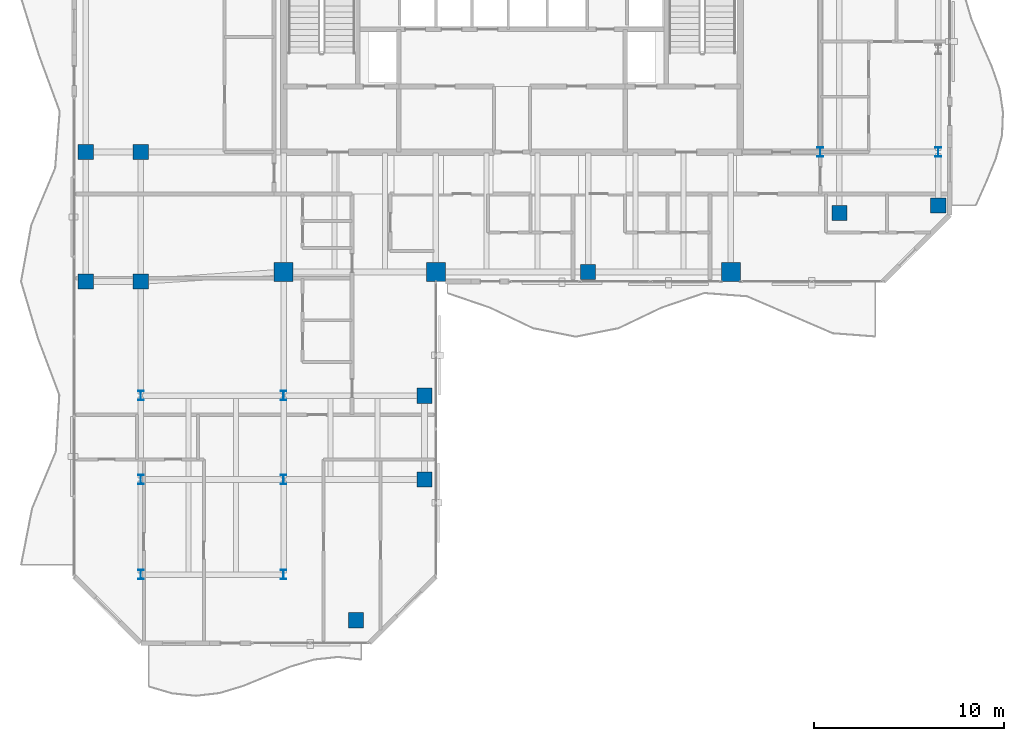
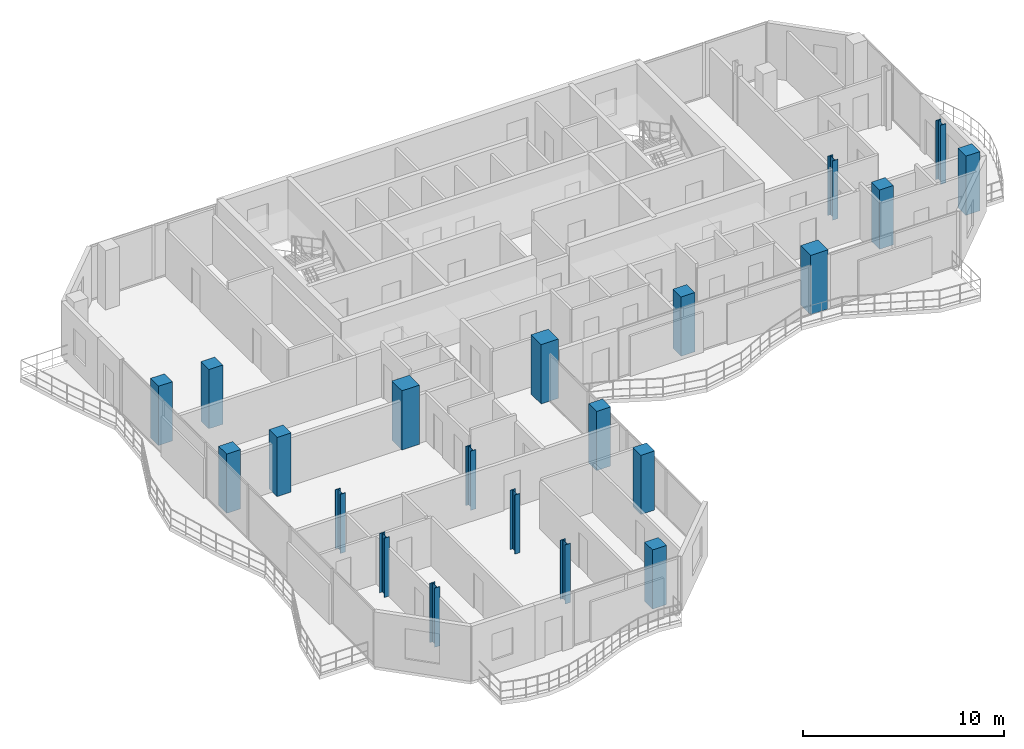
# One storey, part 1 of 23: 21 columns.
"""IFC4 building model written with IfcOpenShell, lengths in metres."""

from ifc_helpers import new_model, si_unit, direction, frame, origin, origin_2d, place, context, subcontext, project, spatial, rectangle, i_section, extrude, material, material_profile, profile_set, type_object, element, save


model = new_model("IFC4")

# Units and contexts
model_context = context("Model", 3, precision=1e-05, world=origin(), true_north=direction((0.0, 1.0)))
body_context = subcontext(model_context, "Body", "Model", "MODEL_VIEW")
ifc_project = project(units=[si_unit("LENGTHUNIT", "METRE"), si_unit("AREAUNIT", "SQUARE_METRE"), si_unit("VOLUMEUNIT", "CUBIC_METRE"), si_unit("PLANEANGLEUNIT", "RADIAN"), si_unit("MASSUNIT", "GRAM", prefix="KILO")], contexts=[model_context])

# Site, building, storey
site_placement = place(None, origin())
site = spatial("IfcSite", under=ifc_project, at=site_placement, CompositionType="ELEMENT")
building_placement = place(site_placement, origin())
building = spatial("IfcBuilding", under=site, at=building_placement, Name="Catumbela Crestline Tower", CompositionType="ELEMENT")
storey_placement = place(building_placement, frame((0.0, 0.0, 183.0)))
storey = spatial("IfcBuildingStorey", under=building, at=storey_placement, Name="L47", CompositionType="ELEMENT", Elevation=183.0)

# Columns
ifc_material_1 = material(Name="Concrete C50/60", Category="concrete")
ifc_material_profile_1 = material_profile(ifc_material_1, rectangle(XDim=1.0, YDim=1.0, at=origin_2d()), Name="RC 1000x1000")
ifc_profile_set_1 = profile_set([ifc_material_profile_1], Name="Concrete C50/60")
column_type_1 = type_object("IfcColumnType", Name="C-RC1000-C50", PredefinedType="COLUMN", material=ifc_profile_set_1)
for number, where, z_axis, x_axis, name in (
    (1, (16.0, 24.5, 0.0), (0.0, 0.0, 1.0), (1.0, 0.0, 0.0), "L47 Column C-16-24 (RC 1000x1000)"),
    (2, (24.0, 24.5, 0.0), (0.0, 0.0, 1.0), (1.0, 0.0, 0.0), "L47 Column C-24-24 (RC 1000x1000)"),
    (3, (39.5, 24.5, 0.0), (0.0, 0.0, 1.0), (1.0, 0.0, 0.0), "L47 Column C-40-24 (RC 1000x1000)"),
):
    element("IfcColumn", number, at=place(storey_placement, frame(where, z_axis=z_axis, x_axis=x_axis)), inside=storey, type_object=column_type_1, Name=name, PredefinedType="COLUMN", context=body_context, shape_type="SweptSolid", body=[
        extrude(rectangle(XDim=1.0, YDim=1.0, at=origin_2d()), origin(), (0.0, 0.0, 1.0), 3.6),
    ])
ifc_material_profile_2 = material_profile(ifc_material_1, rectangle(XDim=0.8, YDim=0.8, at=origin_2d()), Name="RC 800x800")
ifc_profile_set_2 = profile_set([ifc_material_profile_2], Name="Concrete C50/60")
column_type_2 = type_object("IfcColumnType", Name="C-RC800-C50", PredefinedType="COLUMN", material=ifc_profile_set_2)
for number, where, z_axis, x_axis, name in (
    (4, (8.5, 24.0, 0.0), (0.0, 0.0, 1.0), (1.0, 0.0, 0.0), "L47 Column C-08-24 (RC 800x800)"),
    (5, (32.0, 24.5, 0.0), (0.0, 0.0, 1.0), (1.0, 0.0, 0.0), "L47 Column C-32-24 (RC 800x800)"),
    (6, (5.6, 24.0, 0.0), (0.0, 0.0, 1.0), (1.0, 0.0, 0.0), "L47 Column C-05-24 (RC 800x800)"),
    (7, (5.6, 30.8, 0.0), (0.0, 0.0, 1.0), (1.0, 0.0, 0.0), "L47 Column C-05-31 (RC 800x800)"),
    (8, (8.5, 30.8, 0.0), (0.0, 0.0, 1.0), (1.0, 0.0, 0.0), "L47 Column C-08-31 (RC 800x800)"),
    (9, (45.2, 27.6, 0.0), (0.0, 0.0, 1.0), (1.0, 0.0, 0.0), "L47 Column C-46-24 (RC 800x800)"),
    (10, (50.4, 28.0, 0.0), (0.0, 0.0, 1.0), (1.0, 0.0, 0.0), "L47 Column C-51-24 (RC 800x800)"),
    (11, (19.8, 6.2, 0.0), (0.0, 0.0, 1.0), (1.0, 0.0, 0.0), "L47 Column C-24-05 (RC 800x800)"),
    (12, (23.4, 13.6, 0.0), (0.0, 0.0, 1.0), (1.0, 0.0, 0.0), "L47 Column C-24-10 (RC 800x800)"),
    (13, (23.4, 18.0, 0.0), (0.0, 0.0, 1.0), (1.0, 0.0, 0.0), "L47 Column C-24-16 (RC 800x800)"),
):
    element("IfcColumn", number, at=place(storey_placement, frame(where, z_axis=z_axis, x_axis=x_axis)), inside=storey, type_object=column_type_2, Name=name, PredefinedType="COLUMN", context=body_context, shape_type="SweptSolid", body=[
        extrude(rectangle(XDim=0.8, YDim=0.8, at=origin_2d()), origin(), (0.0, 0.0, 1.0), 3.6),
    ])
ifc_material_2 = material(Name="Structural steel S355J2", Category="steel")
ifc_material_profile_3 = material_profile(ifc_material_2, i_section(OverallWidth=0.3, OverallDepth=0.5, WebThickness=0.0145, FlangeThickness=0.028, FilletRadius=0.027, at=origin_2d()), Name="HEB 500")
ifc_profile_set_3 = profile_set([ifc_material_profile_3], Name="Structural steel S355J2")
column_type_3 = type_object("IfcColumnType", Name="C-ST-HEB500", PredefinedType="COLUMN", material=ifc_profile_set_3)
for number, where, z_axis, x_axis, name in (
    (14, (8.5, 8.6, 0.0), (0.0, 0.0, 1.0), (1.0, 0.0, 0.0), "L47 Column CT-05-05 (HEB 500)"),
    (15, (16.0, 8.6, 0.0), (0.0, 0.0, 1.0), (1.0, 0.0, 0.0), "L47 Column CT-14-05 (HEB 500)"),
    (16, (8.5, 13.6, 0.0), (0.0, 0.0, 1.0), (1.0, 0.0, 0.0), "L47 Column CT-05-10 (HEB 500)"),
    (17, (16.0, 13.6, 0.0), (0.0, 0.0, 1.0), (1.0, 0.0, 0.0), "L47 Column CT-14-10 (HEB 500)"),
    (18, (8.5, 18.0, 0.0), (0.0, 0.0, 1.0), (1.0, 0.0, 0.0), "L47 Column CT-05-16 (HEB 500)"),
    (19, (16.0, 18.0, 0.0), (0.0, 0.0, 1.0), (1.0, 0.0, 0.0), "L47 Column CT-14-16 (HEB 500)"),
    (20, (44.2, 30.8, 0.0), (0.0, 0.0, 1.0), (1.0, 0.0, 0.0), "L47 Column CT-46-31 (HEB 500)"),
    (21, (50.4, 30.8, 0.0), (0.0, 0.0, 1.0), (1.0, 0.0, 0.0), "L47 Column CT-51-31 (HEB 500)"),
):
    element("IfcColumn", number, at=place(storey_placement, frame(where, z_axis=z_axis, x_axis=x_axis)), inside=storey, type_object=column_type_3, Name=name, PredefinedType="COLUMN", context=body_context, shape_type="SweptSolid", body=[
        extrude(i_section(OverallWidth=0.3, OverallDepth=0.5, WebThickness=0.0145, FlangeThickness=0.028, FilletRadius=0.027, at=origin_2d()), origin(), (0.0, 0.0, 1.0), 3.6),
    ])

save(model, "model.ifc")
